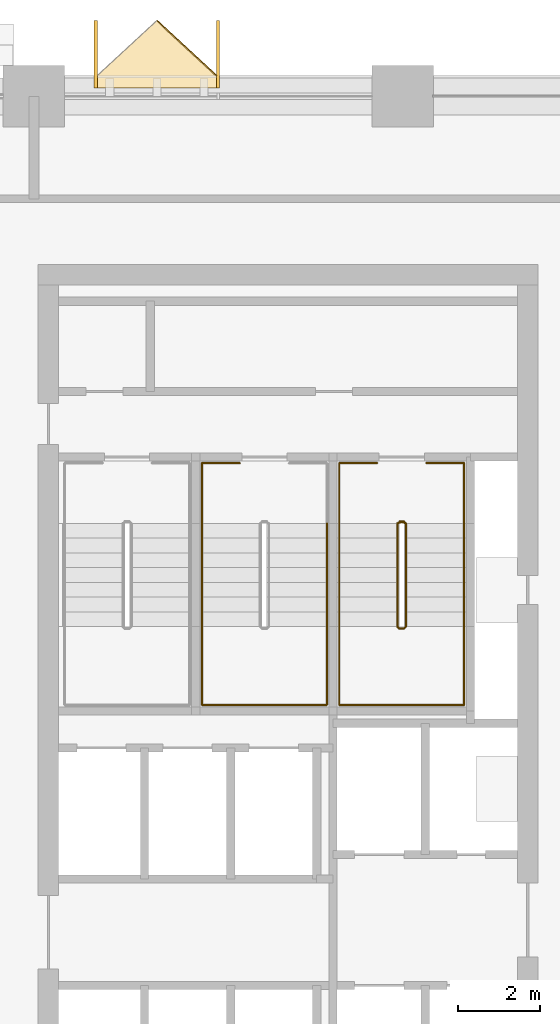
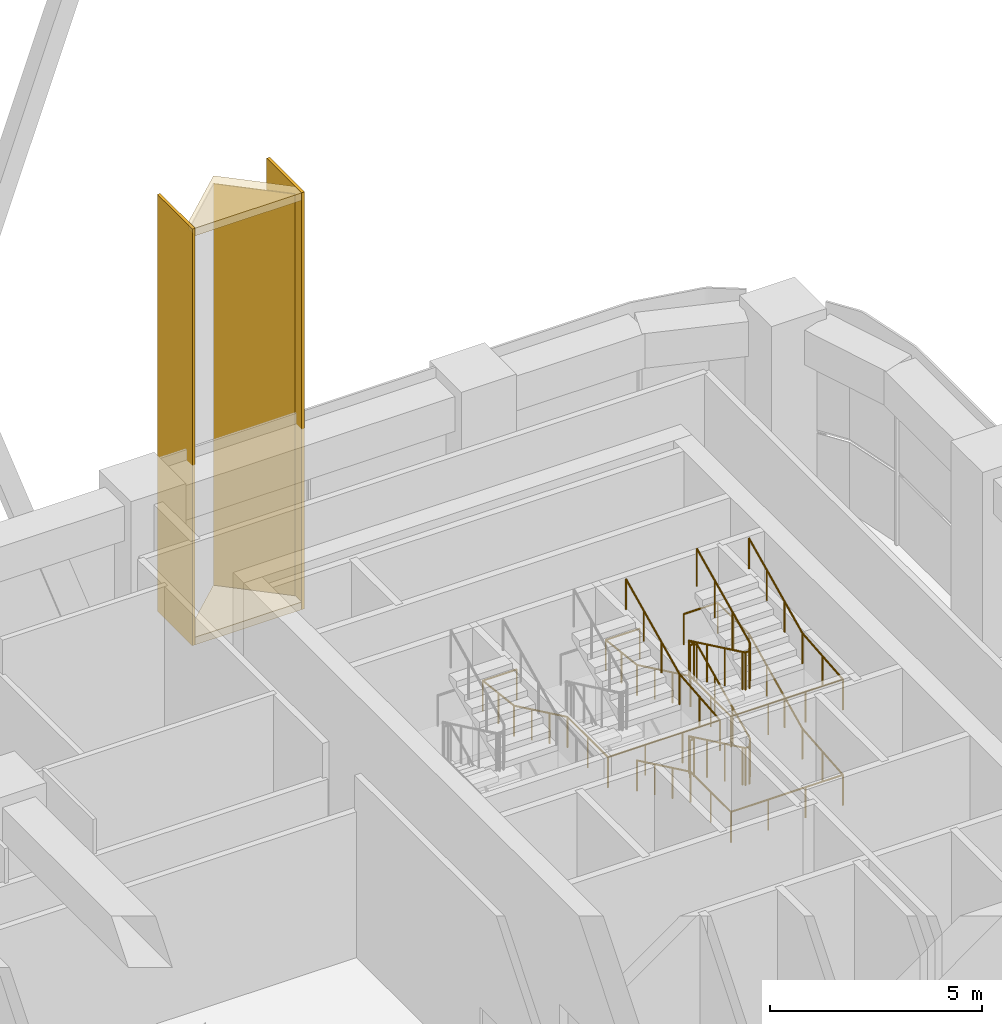
# One storey, part 22 of 22: 5 coverings, 4 railings.
"""IFC4 building model written with IfcOpenShell, lengths in metres."""

from ifc_helpers import new_model, si_unit, direction, frame, origin, origin_2d, place, context, subcontext, project, spatial, polyline, rectangle, circle, outline, extrude, material, layer, layer_set, type_object, element, save


model = new_model("IFC4")

# Units and contexts
model_context = context("Model", 3, precision=1e-05, world=origin(), true_north=direction((0.0, 1.0)))
body_context = subcontext(model_context, "Body", "Model", "MODEL_VIEW")
ifc_project = project(units=[si_unit("LENGTHUNIT", "METRE"), si_unit("AREAUNIT", "SQUARE_METRE"), si_unit("VOLUMEUNIT", "CUBIC_METRE"), si_unit("PLANEANGLEUNIT", "RADIAN"), si_unit("MASSUNIT", "GRAM", prefix="KILO")], contexts=[model_context])

# Site, building, storey
site_placement = place(None, origin())
site = spatial("IfcSite", under=ifc_project, at=site_placement, CompositionType="ELEMENT")
building_placement = place(site_placement, origin())
building = spatial("IfcBuilding", under=site, at=building_placement, Name="Tessera Arch", CompositionType="ELEMENT")
storey_placement = place(building_placement, frame((0.0, 0.0, 129.39990234375)))
storey = spatial("IfcBuildingStorey", under=building, at=storey_placement, Name="L30", CompositionType="ELEMENT", Elevation=129.39990234375)

# Railings
ifc_material_1 = material(Name="Painted steel balustrade", Category="steel")
railing_type_1 = type_object("IfcRailingType", Name="Stair guard 1100", PredefinedType="GUARDRAIL", material=ifc_material_1)
railing_1_placement = place(storey_placement, frame((44.919921875, 43.6298828125, 0.0)))
element("IfcRailing", 1, at=railing_1_placement, inside=storey, type_object=railing_type_1, Name="L30 S1c stair guard 1", PredefinedType="GUARDRAIL", context=body_context, shape_type="SweptSolid", body=[
    extrude(circle(Radius=0.02392578125, at=origin_2d()), frame((-0.00390625, 0.0, 1.076171875), z_axis=(1.0, 0.0, 0.0), x_axis=(0.0, 1.0, 0.0)), (0.0, 0.0, 1.0), 0.1181640625),
    extrude(circle(Radius=0.02392578125, at=origin_2d()), frame((0.11279296875, 0.000732421875, 1.0732421875), z_axis=(-0.666338602122, -0.207531411959, 0.716186833426), x_axis=(0.297361876254, -0.954764847777, 0.0)), (0.0, 0.0, 1.0), 0.248046875),
    extrude(circle(Radius=0.02392578125, at=origin_2d()), frame((-0.0498046875, -0.046142578125, 1.24609375), z_axis=(0.0, -0.902426963165, 0.430842867126), x_axis=(1.0, 0.0, 0.0)), (0.0, 0.0, 1.0), 2.800537109375),
    extrude(circle(Radius=0.02392578125, at=origin_2d()), frame((-0.052734375, -2.56689453125, 2.451171875), z_axis=(0.705375805398, -0.708833529934, 0.0), x_axis=(0.708833529934, 0.705375805398, 0.0)), (0.0, 0.0, 1.0), 0.07861328125),
    extrude(circle(Radius=0.02392578125, at=origin_2d()), frame((-0.00390625, -2.619873046875, 2.451171875), z_axis=(1.0, 0.0, 0.0), x_axis=(0.0, 1.0, 0.0)), (0.0, 0.0, 1.0), 0.1181640625),
    extrude(circle(Radius=0.02392578125, at=origin_2d()), frame((0.109130859375, -2.620849609375, 2.447265625), z_axis=(0.269255725606, 0.269255725606, 0.92466356501), x_axis=(-0.707106781187, 0.707106781187, 0.0)), (0.0, 0.0, 1.0), 0.19384765625),
    extrude(circle(Radius=0.02392578125, at=origin_2d()), frame((0.16015625, -2.573486328125, 2.62109375), z_axis=(0.0, 0.902426963165, 0.430842867126), x_axis=(-1.0, 0.0, 0.0)), (0.0, 0.0, 1.0), 2.800537109375),
    extrude(circle(Radius=0.02392578125, at=origin_2d()), frame((0.1640625, -0.051025390625, 3.826171875), z_axis=(-0.954893471113, 0.296948579431, 0.0), x_axis=(-0.296948579431, -0.954893471113, 0.0)), (0.0, 0.0, 1.0), 0.17578125),
    extrude(circle(Radius=0.02392578125, at=origin_2d()), frame((-0.00390625, 0.0, 3.826171875), z_axis=(1.0, 0.0, 0.0), x_axis=(0.0, 1.0, 0.0)), (0.0, 0.0, 1.0), 0.1181640625),
    extrude(circle(Radius=0.02392578125, at=origin_2d()), frame((0.11279296875, 0.000732421875, 3.8232421875), z_axis=(-0.666338602122, -0.207531411959, 0.716186833426), x_axis=(0.297361876254, -0.954764847777, 0.0)), (0.0, 0.0, 1.0), 0.248046875),
    extrude(circle(Radius=0.02392578125, at=origin_2d()), frame((-0.0498046875, -0.046142578125, 3.99609375), z_axis=(0.0, -0.902426963165, 0.430842867126), x_axis=(1.0, 0.0, 0.0)), (0.0, 0.0, 1.0), 2.800537109375),
    extrude(circle(Radius=0.02392578125, at=origin_2d()), frame((-0.052734375, -2.56689453125, 5.201171875), z_axis=(0.705375805398, -0.708833529934, 0.0), x_axis=(0.708833529934, 0.705375805398, 0.0)), (0.0, 0.0, 1.0), 0.07861328125),
    extrude(circle(Radius=0.02392578125, at=origin_2d()), frame((-0.00390625, -2.619873046875, 5.201171875), z_axis=(1.0, 0.0, 0.0), x_axis=(0.0, 1.0, 0.0)), (0.0, 0.0, 1.0), 0.1181640625),
    extrude(circle(Radius=0.02392578125, at=origin_2d()), frame((0.109130859375, -2.620849609375, 5.197265625), z_axis=(0.269255725606, 0.269255725606, 0.92466356501), x_axis=(-0.707106781187, 0.707106781187, 0.0)), (0.0, 0.0, 1.0), 0.19384765625),
    extrude(circle(Radius=0.02392578125, at=origin_2d()), frame((0.16015625, -2.573486328125, 5.37109375), z_axis=(0.0, 0.902426963165, 0.430842867126), x_axis=(-1.0, 0.0, 0.0)), (0.0, 0.0, 1.0), 2.800537109375),
    extrude(circle(Radius=0.02099609375, at=origin_2d()), origin(), (0.0, 0.0, 1.0), 1.06396484375),
    extrude(circle(Radius=0.02099609375, at=origin_2d()), frame((0.110107421875, 0.0, 0.0)), (0.0, 0.0, 1.0), 1.06396484375),
    extrude(circle(Radius=0.02099609375, at=origin_2d()), frame((-0.0498046875, -0.0498046875, 0.171875)), (0.0, 0.0, 1.0), 1.06396484375),
    extrude(circle(Radius=0.02099609375, at=origin_2d()), frame((-0.0498046875, -0.889892578125, 0.572998046875)), (0.0, 0.0, 1.0), 1.06396484375),
    extrude(circle(Radius=0.02099609375, at=origin_2d()), frame((-0.0498046875, -1.729736328125, 0.973876953125)), (0.0, 0.0, 1.0), 1.06396484375),
    extrude(circle(Radius=0.02099609375, at=origin_2d()), frame((-0.0498046875, -2.56982421875, 1.375)), (0.0, 0.0, 1.0), 1.06396484375),
    extrude(circle(Radius=0.02099609375, at=origin_2d()), frame((0.0, -2.619873046875, 1.375)), (0.0, 0.0, 1.0), 1.06396484375),
    extrude(circle(Radius=0.02099609375, at=origin_2d()), frame((0.110107421875, -2.619873046875, 1.375)), (0.0, 0.0, 1.0), 1.06396484375),
    extrude(circle(Radius=0.02099609375, at=origin_2d()), frame((0.16015625, -2.56982421875, 1.546875)), (0.0, 0.0, 1.0), 1.06396484375),
    extrude(circle(Radius=0.02099609375, at=origin_2d()), frame((0.16015625, -1.729736328125, 1.947998046875)), (0.0, 0.0, 1.0), 1.06396484375),
    extrude(circle(Radius=0.02099609375, at=origin_2d()), frame((0.16015625, -0.889892578125, 2.348876953125)), (0.0, 0.0, 1.0), 1.06396484375),
    extrude(circle(Radius=0.02099609375, at=origin_2d()), frame((0.16015625, -0.0498046875, 2.75)), (0.0, 0.0, 1.0), 1.06396484375),
    extrude(circle(Radius=0.02099609375, at=origin_2d()), frame((0.0, 0.0, 2.75)), (0.0, 0.0, 1.0), 1.06396484375),
    extrude(circle(Radius=0.02099609375, at=origin_2d()), frame((0.110107421875, 0.0, 2.75)), (0.0, 0.0, 1.0), 1.06396484375),
    extrude(circle(Radius=0.02099609375, at=origin_2d()), frame((-0.0498046875, -0.0498046875, 2.921875)), (0.0, 0.0, 1.0), 1.06396484375),
    extrude(circle(Radius=0.02099609375, at=origin_2d()), frame((-0.0498046875, -0.889892578125, 3.322998046875)), (0.0, 0.0, 1.0), 1.06396484375),
    extrude(circle(Radius=0.02099609375, at=origin_2d()), frame((-0.0498046875, -1.729736328125, 3.723876953125)), (0.0, 0.0, 1.0), 1.06396484375),
    extrude(circle(Radius=0.02099609375, at=origin_2d()), frame((-0.0498046875, -2.56982421875, 4.125)), (0.0, 0.0, 1.0), 1.06396484375),
    extrude(circle(Radius=0.02099609375, at=origin_2d()), frame((0.0, -2.619873046875, 4.125)), (0.0, 0.0, 1.0), 1.06396484375),
    extrude(circle(Radius=0.02099609375, at=origin_2d()), frame((0.110107421875, -2.619873046875, 4.125)), (0.0, 0.0, 1.0), 1.06396484375),
    extrude(circle(Radius=0.02099609375, at=origin_2d()), frame((0.16015625, -2.56982421875, 4.296875)), (0.0, 0.0, 1.0), 1.06396484375),
    extrude(circle(Radius=0.02099609375, at=origin_2d()), frame((0.16015625, -1.729736328125, 4.697998046875)), (0.0, 0.0, 1.0), 1.06396484375),
    extrude(circle(Radius=0.02099609375, at=origin_2d()), frame((0.16015625, -0.889892578125, 5.098876953125)), (0.0, 0.0, 1.0), 1.06396484375),
    extrude(circle(Radius=0.02099609375, at=origin_2d()), frame((0.16015625, -0.0498046875, 5.5)), (0.0, 0.0, 1.0), 1.06396484375),
])
ifc_material_2 = material(Name="Painted steel handrail", Category="steel")
railing_type_2 = type_object("IfcRailingType", Name="Stair handrail 900", PredefinedType="HANDRAIL", material=ifc_material_2)
railing_2_placement = place(storey_placement, frame((41.02490234375, 45.050048828125, 2.75)))
element("IfcRailing", 2, at=railing_2_placement, inside=storey, type_object=railing_type_2, Name="L30 S1b stair handrail 2", PredefinedType="HANDRAIL", context=body_context, shape_type="SweptSolid", body=[
    extrude(circle(Radius=0.02392578125, at=origin_2d()), frame((0.00390625, 0.0, 0.8759765625), z_axis=(-1.0, 0.0, 0.0), x_axis=(0.0, -1.0, 0.0)), (0.0, 0.0, 1.0), 0.932861328125),
    extrude(circle(Radius=0.02392578125, at=origin_2d()), frame((-0.9248046875, 0.00390625, 0.87548828125), z_axis=(0.0, -0.993233677077, 0.116132952776), x_axis=(1.0, 0.0, 0.0)), (0.0, 0.0, 1.0), 1.488037109375),
    extrude(circle(Radius=0.02392578125, at=origin_2d()), frame((-0.9248046875, -1.46630859375, 1.0458984375), z_axis=(0.0, -0.902426963165, 0.430842867126), x_axis=(1.0, 0.0, 0.0)), (0.0, 0.0, 1.0), 2.800537109375),
    extrude(circle(Radius=0.02392578125, at=origin_2d()), frame((-0.9248046875, -3.986083984375, 2.2509765625), z_axis=(0.0, -1.0, 0.0), x_axis=(1.0, 0.0, 0.0)), (0.0, 0.0, 1.0), 1.918212890625),
    extrude(circle(Radius=0.02392578125, at=origin_2d()), frame((-0.9287109375, -5.900146484375, 2.2509765625), z_axis=(1.0, 0.0, 0.0), x_axis=(0.0, 1.0, 0.0)), (0.0, 0.0, 1.0), 3.057861328125),
    extrude(circle(Radius=0.02392578125, at=origin_2d()), frame((2.125, -5.904052734375, 2.25048828125), z_axis=(0.0, 0.995976256995, 0.089617495517), x_axis=(-1.0, 0.0, 0.0)), (0.0, 0.0, 1.0), 1.92578125),
    extrude(circle(Radius=0.02392578125, at=origin_2d()), frame((2.125, -3.99365234375, 2.4208984375), z_axis=(0.0, 0.902426963165, 0.430842867126), x_axis=(-1.0, 0.0, 0.0)), (0.0, 0.0, 1.0), 2.800537109375),
    extrude(circle(Radius=0.02099609375, at=origin_2d()), origin(), (0.0, 0.0, 1.0), 0.86376953125),
    extrude(circle(Radius=0.02099609375, at=origin_2d()), frame((-0.9248046875, 0.0, 0.0)), (0.0, 0.0, 1.0), 0.86376953125),
    extrude(circle(Radius=0.02099609375, at=origin_2d()), frame((-0.9248046875, -0.73486328125, 0.0859375)), (0.0, 0.0, 1.0), 0.86376953125),
    extrude(circle(Radius=0.02099609375, at=origin_2d()), frame((-0.9248046875, -1.469970703125, 0.171875)), (0.0, 0.0, 1.0), 0.86376953125),
    extrude(circle(Radius=0.02099609375, at=origin_2d()), frame((-0.9248046875, -2.31005859375, 0.572998046875)), (0.0, 0.0, 1.0), 0.86376953125),
    extrude(circle(Radius=0.02099609375, at=origin_2d()), frame((-0.9248046875, -3.14990234375, 0.973876953125)), (0.0, 0.0, 1.0), 0.86376953125),
    extrude(circle(Radius=0.02099609375, at=origin_2d()), frame((-0.9248046875, -3.989990234375, 1.375)), (0.0, 0.0, 1.0), 0.86376953125),
    extrude(circle(Radius=0.02099609375, at=origin_2d()), frame((-0.9248046875, -4.945068359375, 1.375)), (0.0, 0.0, 1.0), 0.86376953125),
    extrude(circle(Radius=0.02099609375, at=origin_2d()), frame((-0.9248046875, -5.900146484375, 1.375)), (0.0, 0.0, 1.0), 0.86376953125),
    extrude(circle(Radius=0.02099609375, at=origin_2d()), frame((0.091796875, -5.900146484375, 1.375)), (0.0, 0.0, 1.0), 0.86376953125),
    extrude(circle(Radius=0.02099609375, at=origin_2d()), frame((1.1083984375, -5.900146484375, 1.375)), (0.0, 0.0, 1.0), 0.86376953125),
    extrude(circle(Radius=0.02099609375, at=origin_2d()), frame((2.125, -5.900146484375, 1.375)), (0.0, 0.0, 1.0), 0.86376953125),
    extrude(circle(Radius=0.02099609375, at=origin_2d()), frame((2.125, -4.945068359375, 1.4609375)), (0.0, 0.0, 1.0), 0.86376953125),
    extrude(circle(Radius=0.02099609375, at=origin_2d()), frame((2.125, -3.989990234375, 1.546875)), (0.0, 0.0, 1.0), 0.86376953125),
    extrude(circle(Radius=0.02099609375, at=origin_2d()), frame((2.125, -3.14990234375, 1.947998046875)), (0.0, 0.0, 1.0), 0.86376953125),
    extrude(circle(Radius=0.02099609375, at=origin_2d()), frame((2.125, -2.31005859375, 2.348876953125)), (0.0, 0.0, 1.0), 0.86376953125),
    extrude(circle(Radius=0.02099609375, at=origin_2d()), frame((2.125, -1.469970703125, 2.75)), (0.0, 0.0, 1.0), 0.86376953125),
])
railing_3_placement = place(storey_placement, frame((43.449951171875, 43.580078125, 0.171875)))
element("IfcRailing", 3, at=railing_3_placement, inside=storey, type_object=railing_type_2, Name="L30 S1c stair handrail", PredefinedType="HANDRAIL", context=body_context, shape_type="SweptSolid", body=[
    extrude(circle(Radius=0.02392578125, at=origin_2d()), frame((0.0, 0.003662109375, 0.8740234375), z_axis=(0.0, -0.902426963165, 0.430842867126), x_axis=(1.0, 0.0, 0.0)), (0.0, 0.0, 1.0), 2.800537109375),
    extrude(circle(Radius=0.02392578125, at=origin_2d()), frame((0.0, -2.51611328125, 2.0791015625), z_axis=(0.0, -1.0, 0.0), x_axis=(1.0, 0.0, 0.0)), (0.0, 0.0, 1.0), 1.918212890625),
    extrude(circle(Radius=0.02392578125, at=origin_2d()), frame((-0.00390625, -4.43017578125, 2.0791015625), z_axis=(1.0, 0.0, 0.0), x_axis=(0.0, 1.0, 0.0)), (0.0, 0.0, 1.0), 3.05810546875),
    extrude(circle(Radius=0.02392578125, at=origin_2d()), frame((3.050048828125, -4.43408203125, 2.07861328125), z_axis=(0.0, 0.995976256995, 0.089617495517), x_axis=(-1.0, 0.0, 0.0)), (0.0, 0.0, 1.0), 1.92578125),
    extrude(circle(Radius=0.02392578125, at=origin_2d()), frame((3.050048828125, -2.523681640625, 2.2490234375), z_axis=(0.0, 0.902426963165, 0.430842867126), x_axis=(-1.0, 0.0, 0.0)), (0.0, 0.0, 1.0), 2.800537109375),
    extrude(circle(Radius=0.02392578125, at=origin_2d()), frame((3.050048828125, -0.00390625, 3.4541015625), z_axis=(0.0, 1.0, 0.0), x_axis=(-1.0, 0.0, 0.0)), (0.0, 0.0, 1.0), 1.47802734375),
    extrude(circle(Radius=0.02392578125, at=origin_2d()), frame((3.053955078125, 1.469970703125, 3.4541015625), z_axis=(-1.0, 0.0, 0.0), x_axis=(0.0, -1.0, 0.0)), (0.0, 0.0, 1.0), 0.93310546875),
    extrude(circle(Radius=0.02099609375, at=origin_2d()), origin(), (0.0, 0.0, 1.0), 0.86376953125),
    extrude(circle(Radius=0.02099609375, at=origin_2d()), frame((0.0, -0.840087890625, 0.401123046875)), (0.0, 0.0, 1.0), 0.86376953125),
    extrude(circle(Radius=0.02099609375, at=origin_2d()), frame((0.0, -1.679931640625, 0.802001953125)), (0.0, 0.0, 1.0), 0.86376953125),
    extrude(circle(Radius=0.02099609375, at=origin_2d()), frame((0.0, -2.52001953125, 1.203125)), (0.0, 0.0, 1.0), 0.86376953125),
    extrude(circle(Radius=0.02099609375, at=origin_2d()), frame((0.0, -3.47509765625, 1.203125)), (0.0, 0.0, 1.0), 0.86376953125),
    extrude(circle(Radius=0.02099609375, at=origin_2d()), frame((0.0, -4.43017578125, 1.203125)), (0.0, 0.0, 1.0), 0.86376953125),
    extrude(circle(Radius=0.02099609375, at=origin_2d()), frame((1.0166015625, -4.43017578125, 1.203125)), (0.0, 0.0, 1.0), 0.86376953125),
    extrude(circle(Radius=0.02099609375, at=origin_2d()), frame((2.033447265625, -4.43017578125, 1.203125)), (0.0, 0.0, 1.0), 0.86376953125),
    extrude(circle(Radius=0.02099609375, at=origin_2d()), frame((3.050048828125, -4.43017578125, 1.203125)), (0.0, 0.0, 1.0), 0.86376953125),
    extrude(circle(Radius=0.02099609375, at=origin_2d()), frame((3.050048828125, -3.47509765625, 1.2890625)), (0.0, 0.0, 1.0), 0.86376953125),
    extrude(circle(Radius=0.02099609375, at=origin_2d()), frame((3.050048828125, -2.52001953125, 1.375)), (0.0, 0.0, 1.0), 0.86376953125),
    extrude(circle(Radius=0.02099609375, at=origin_2d()), frame((3.050048828125, -1.679931640625, 1.776123046875)), (0.0, 0.0, 1.0), 0.86376953125),
    extrude(circle(Radius=0.02099609375, at=origin_2d()), frame((3.050048828125, -0.840087890625, 2.177001953125)), (0.0, 0.0, 1.0), 0.86376953125),
    extrude(circle(Radius=0.02099609375, at=origin_2d()), frame((3.050048828125, 0.0, 2.578125)), (0.0, 0.0, 1.0), 0.86376953125),
    extrude(circle(Radius=0.02099609375, at=origin_2d()), frame((3.050048828125, 0.73486328125, 2.578125)), (0.0, 0.0, 1.0), 0.86376953125),
    extrude(circle(Radius=0.02099609375, at=origin_2d()), frame((3.050048828125, 1.469970703125, 2.578125)), (0.0, 0.0, 1.0), 0.86376953125),
    extrude(circle(Radius=0.02099609375, at=origin_2d()), frame((2.125, 1.469970703125, 2.578125)), (0.0, 0.0, 1.0), 0.86376953125),
])
railing_4_placement = place(storey_placement, frame((44.375, 45.050048828125, 2.75)))
element("IfcRailing", 4, at=railing_4_placement, inside=storey, type_object=railing_type_2, Name="L30 S1c stair handrail 2", PredefinedType="HANDRAIL", context=body_context, shape_type="SweptSolid", body=[
    extrude(circle(Radius=0.02392578125, at=origin_2d()), frame((0.00390625, 0.0, 0.8759765625), z_axis=(-1.0, 0.0, 0.0), x_axis=(0.0, -1.0, 0.0)), (0.0, 0.0, 1.0), 0.93310546875),
    extrude(circle(Radius=0.02392578125, at=origin_2d()), frame((-0.925048828125, 0.00390625, 0.87548828125), z_axis=(0.0, -0.993233677077, 0.116132952776), x_axis=(1.0, 0.0, 0.0)), (0.0, 0.0, 1.0), 1.488037109375),
    extrude(circle(Radius=0.02392578125, at=origin_2d()), frame((-0.925048828125, -1.46630859375, 1.0458984375), z_axis=(0.0, -0.902426963165, 0.430842867126), x_axis=(1.0, 0.0, 0.0)), (0.0, 0.0, 1.0), 2.800537109375),
    extrude(circle(Radius=0.02392578125, at=origin_2d()), frame((-0.925048828125, -3.986083984375, 2.2509765625), z_axis=(0.0, -1.0, 0.0), x_axis=(1.0, 0.0, 0.0)), (0.0, 0.0, 1.0), 1.918212890625),
    extrude(circle(Radius=0.02392578125, at=origin_2d()), frame((-0.928955078125, -5.900146484375, 2.2509765625), z_axis=(1.0, 0.0, 0.0), x_axis=(0.0, 1.0, 0.0)), (0.0, 0.0, 1.0), 3.05810546875),
    extrude(circle(Radius=0.02392578125, at=origin_2d()), frame((2.125, -5.904052734375, 2.25048828125), z_axis=(0.0, 0.995976256995, 0.089617495517), x_axis=(-1.0, 0.0, 0.0)), (0.0, 0.0, 1.0), 1.92578125),
    extrude(circle(Radius=0.02392578125, at=origin_2d()), frame((2.125, -3.99365234375, 2.4208984375), z_axis=(0.0, 0.902426963165, 0.430842867126), x_axis=(-1.0, 0.0, 0.0)), (0.0, 0.0, 1.0), 2.800537109375),
    extrude(circle(Radius=0.02099609375, at=origin_2d()), origin(), (0.0, 0.0, 1.0), 0.86376953125),
    extrude(circle(Radius=0.02099609375, at=origin_2d()), frame((-0.925048828125, 0.0, 0.0)), (0.0, 0.0, 1.0), 0.86376953125),
    extrude(circle(Radius=0.02099609375, at=origin_2d()), frame((-0.925048828125, -0.73486328125, 0.0859375)), (0.0, 0.0, 1.0), 0.86376953125),
    extrude(circle(Radius=0.02099609375, at=origin_2d()), frame((-0.925048828125, -1.469970703125, 0.171875)), (0.0, 0.0, 1.0), 0.86376953125),
    extrude(circle(Radius=0.02099609375, at=origin_2d()), frame((-0.925048828125, -2.31005859375, 0.572998046875)), (0.0, 0.0, 1.0), 0.86376953125),
    extrude(circle(Radius=0.02099609375, at=origin_2d()), frame((-0.925048828125, -3.14990234375, 0.973876953125)), (0.0, 0.0, 1.0), 0.86376953125),
    extrude(circle(Radius=0.02099609375, at=origin_2d()), frame((-0.925048828125, -3.989990234375, 1.375)), (0.0, 0.0, 1.0), 0.86376953125),
    extrude(circle(Radius=0.02099609375, at=origin_2d()), frame((-0.925048828125, -4.945068359375, 1.375)), (0.0, 0.0, 1.0), 0.86376953125),
    extrude(circle(Radius=0.02099609375, at=origin_2d()), frame((-0.925048828125, -5.900146484375, 1.375)), (0.0, 0.0, 1.0), 0.86376953125),
    extrude(circle(Radius=0.02099609375, at=origin_2d()), frame((0.091552734375, -5.900146484375, 1.375)), (0.0, 0.0, 1.0), 0.86376953125),
    extrude(circle(Radius=0.02099609375, at=origin_2d()), frame((1.1083984375, -5.900146484375, 1.375)), (0.0, 0.0, 1.0), 0.86376953125),
    extrude(circle(Radius=0.02099609375, at=origin_2d()), frame((2.125, -5.900146484375, 1.375)), (0.0, 0.0, 1.0), 0.86376953125),
    extrude(circle(Radius=0.02099609375, at=origin_2d()), frame((2.125, -4.945068359375, 1.4609375)), (0.0, 0.0, 1.0), 0.86376953125),
    extrude(circle(Radius=0.02099609375, at=origin_2d()), frame((2.125, -3.989990234375, 1.546875)), (0.0, 0.0, 1.0), 0.86376953125),
    extrude(circle(Radius=0.02099609375, at=origin_2d()), frame((2.125, -3.14990234375, 1.947998046875)), (0.0, 0.0, 1.0), 0.86376953125),
    extrude(circle(Radius=0.02099609375, at=origin_2d()), frame((2.125, -2.31005859375, 2.348876953125)), (0.0, 0.0, 1.0), 0.86376953125),
    extrude(circle(Radius=0.02099609375, at=origin_2d()), frame((2.125, -1.469970703125, 2.75)), (0.0, 0.0, 1.0), 0.86376953125),
])

# Coverings
ifc_material_3 = material(Name="Anodised aluminium pale metal", Category="aluminium")
ifc_layer_1 = layer(ifc_material_3, 0.080078125)
ifc_layer_set_1 = layer_set([ifc_layer_1], Name="Window box cheek")
covering_type_1 = type_object("IfcCoveringType", Name="Window box cheek", PredefinedType="CLADDING", material=ifc_layer_set_1)
covering_1_placement = place(storey_placement, origin())
element("IfcCovering", 5, at=covering_1_placement, inside=storey, type_object=covering_type_1, Name="Window box N54.0/1.1 1x3 cheek", PredefinedType="CLADDING", context=body_context, shape_type="SweptSolid", body=[
    extrude(outline(polyline([(40.530029296875, 55.85009765625), (40.449951171875, 55.85009765625), (40.449951171875, 54.199951171875), (40.530029296875, 54.199951171875), (40.530029296875, 55.85009765625)])), origin(), (0.0, 0.0, 1.0), 12.0),
])
covering_2_placement = place(storey_placement, origin())
element("IfcCovering", 6, at=covering_2_placement, inside=storey, type_object=covering_type_1, Name="Window box N54.0/1.1 1x3 cheek", PredefinedType="CLADDING", context=body_context, shape_type="SweptSolid", body=[
    extrude(outline(polyline([(37.550048828125, 55.85009765625), (37.469970703125, 55.85009765625), (37.469970703125, 54.199951171875), (37.550048828125, 54.199951171875), (37.550048828125, 55.85009765625)])), origin(), (0.0, 0.0, 1.0), 12.0),
])
ifc_material_4 = material(Name="Anodised aluminium gold", Category="aluminium")
ifc_layer_2 = layer(ifc_material_4, 0.219970703125)
ifc_layer_set_2 = layer_set([ifc_layer_2], Name="Window box frame plate gold")
covering_type_2 = type_object("IfcCoveringType", Name="Window box frame plate gold", PredefinedType="CLADDING", material=ifc_layer_set_2)
covering_3_placement = place(storey_placement, origin())
element("IfcCovering", 7, at=covering_3_placement, inside=storey, type_object=covering_type_2, Name="Window box N54.0/1.1 1x3 floor", PredefinedType="CLADDING", context=body_context, shape_type="SweptSolid", body=[
    extrude(outline(polyline([(40.449951171875, 54.510009765625), (39.0, 55.85009765625), (37.550048828125, 54.510009765625), (37.550048828125, 54.199951171875), (40.449951171875, 54.199951171875), (40.449951171875, 54.510009765625)])), origin(), (0.0, 0.0, 1.0), 0.22021484375),
])
covering_4_placement = place(storey_placement, frame((0.0, 0.0, 11.780029296875)))
element("IfcCovering", 8, at=covering_4_placement, inside=storey, type_object=covering_type_2, Name="Window box N54.0/1.1 1x3 roof", PredefinedType="CLADDING", context=body_context, shape_type="SweptSolid", body=[
    extrude(outline(polyline([(40.449951171875, 54.510009765625), (39.0, 55.85009765625), (37.550048828125, 54.510009765625), (37.550048828125, 54.199951171875), (40.449951171875, 54.199951171875), (40.449951171875, 54.510009765625)])), origin(), (0.0, 0.0, 1.0), 0.219970703125),
])
ifc_material_5 = material(Name="Anodised aluminium pale metal", Category="aluminium")
ifc_layer_3 = layer(ifc_material_5, 0.028076171875)
ifc_layer_set_3 = layer_set([ifc_layer_3], Name="Window box side panel")
covering_type_3 = type_object("IfcCoveringType", Name="Window box side panel", PredefinedType="CLADDING", material=ifc_layer_set_3)
covering_5_placement = place(storey_placement, frame((39.72509765625, 55.179931640625, 0.219970703125), z_axis=(0.0, 0.0, 1.0), x_axis=(-0.734414958885, 0.678700720617, 0.0)))
element("IfcCovering", 9, at=covering_5_placement, inside=storey, type_object=covering_type_3, Name="Window box N54.0/1.1 1x3 side panel", PredefinedType="CLADDING", context=body_context, shape_type="SweptSolid", body=[
    extrude(rectangle(XDim=1.974365234375, YDim=0.028076171875, at=origin_2d()), origin(), (0.0, 0.0, 1.0), 11.56005859375),
])

save(model, "model.ifc")
